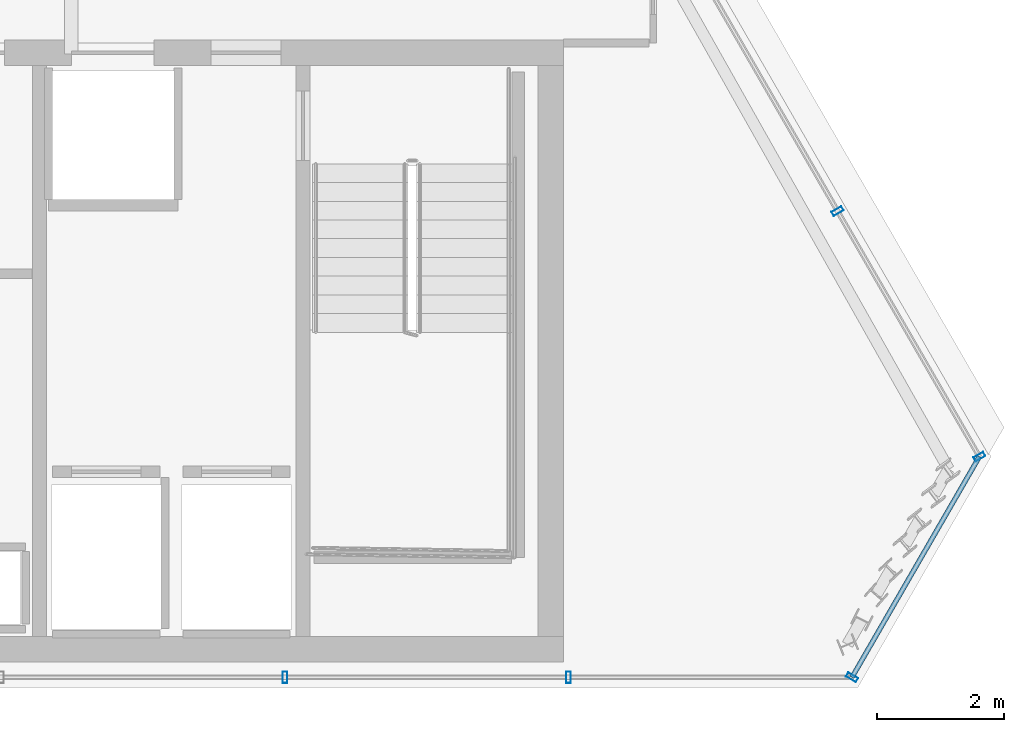
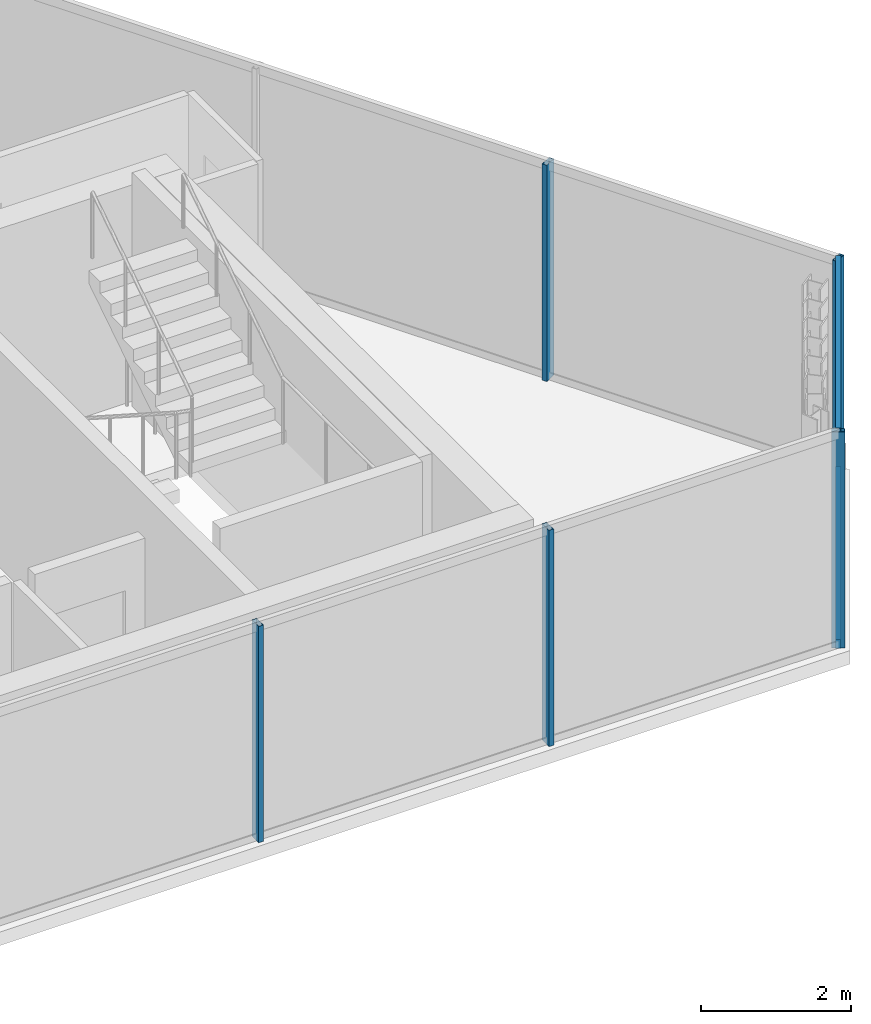
# One storey, part 20 of 32: 7 members, 3 elements without a shape of their own.
"""IFC4 building model written with IfcOpenShell, lengths in metres."""

from ifc_helpers import new_model, si_unit, direction, frame, origin, origin_2d, place, context, subcontext, project, spatial, hollow_rectangle, extrude, material, layer, layer_set, material_profile, profile_set, type_object, element, aggregate, save


model = new_model("IFC4")

# Units and contexts
model_context = context("Model", 3, precision=1e-05, world=origin(), true_north=direction((0.0, 1.0)))
body_context = subcontext(model_context, "Body", "Model", "MODEL_VIEW")
ifc_project = project(units=[si_unit("LENGTHUNIT", "METRE"), si_unit("AREAUNIT", "SQUARE_METRE"), si_unit("VOLUMEUNIT", "CUBIC_METRE"), si_unit("PLANEANGLEUNIT", "RADIAN"), si_unit("MASSUNIT", "GRAM", prefix="KILO")], contexts=[model_context])

# Site, building, storey
site_placement = place(None, origin())
site = spatial("IfcSite", under=ifc_project, at=site_placement, CompositionType="ELEMENT")
building_placement = place(site_placement, origin())
building = spatial("IfcBuilding", under=site, at=building_placement, Name="Ndaravel Arena Tower", CompositionType="ELEMENT")
storey_placement = place(building_placement, frame((0.0, 0.0, 294.699951171875)))
storey = spatial("IfcBuildingStorey", under=building, at=storey_placement, Name="L72", CompositionType="ELEMENT", Elevation=294.699951171875)

# Curtain wall, members
ifc_material_1 = material(Name="Aluminium", Category="aluminium")
ifc_layer_1 = layer(ifc_material_1, 0.179931640625)
ifc_layer_set_1 = layer_set([ifc_layer_1], Name="Aluminium")
curtain_wall_type_1 = type_object("IfcCurtainWallType", Name="CW-SYS-03", PredefinedType="NOTDEFINED", material=ifc_layer_set_1)
curtain_wall_1_placement = place(storey_placement, origin())
curtain_wall_1 = element("IfcCurtainWall", 1, at=curtain_wall_1_placement, inside=storey, type_object=curtain_wall_type_1, Name="L72 Faceted Crystal Curtain Wall CW-L72-E01", PredefinedType="NOTDEFINED")
ifc_material_2 = material(Name="Aluminium", Category="aluminium")
ifc_material_profile_1 = material_profile(ifc_material_2, hollow_rectangle(XDim=0.074951171875, YDim=0.179931640625, WallThickness=0.00390625, at=origin_2d()), Name="CW MULLION 75x180x4")
ifc_profile_set_1 = profile_set([ifc_material_profile_1], Name="Aluminium")
member_type_1 = type_object("IfcMemberType", Name="MEM-CW-MUL180", PredefinedType="MULLION", material=ifc_profile_set_1)
member_1_placement = place(storey_placement, frame((53.165283203125, 5.159912109375, 0.0), z_axis=(0.0, 0.0, 1.0), x_axis=(1.0, 0.0, 0.0)))
member_1 = element("IfcMember", 2, at=member_1_placement, type_object=member_type_1, Name="CW-L72-E01 Mullion 07", PredefinedType="MULLION", context=body_context, shape_type="SweptSolid", body=[
    extrude(hollow_rectangle(XDim=0.074951171875, YDim=0.179931640625, WallThickness=0.00390625, at=origin_2d()), origin(), (0.0, 0.0, 1.0), 3.52001953125),
])
member_2_placement = place(storey_placement, frame((57.631103515625, 5.159912109375, 0.0), z_axis=(0.0, 0.0, 1.0), x_axis=(1.0, 0.0, 0.0)))
member_2 = element("IfcMember", 3, at=member_2_placement, type_object=member_type_1, Name="CW-L72-E01 Mullion 08", PredefinedType="MULLION", context=body_context, shape_type="SweptSolid", body=[
    extrude(hollow_rectangle(XDim=0.074951171875, YDim=0.179931640625, WallThickness=0.00390625, at=origin_2d()), origin(), (0.0, 0.0, 1.0), 3.52001953125),
])
aggregate(curtain_wall_1, [member_1, member_2])

# Curtain wall, member
ifc_material_3 = material(Name="Aluminium", Category="aluminium")
ifc_layer_2 = layer(ifc_material_3, 0.179931640625)
ifc_layer_set_2 = layer_set([ifc_layer_2], Name="Aluminium")
curtain_wall_type_2 = type_object("IfcCurtainWallType", Name="CW-SYS-01", PredefinedType="NOTDEFINED", material=ifc_layer_set_2)
curtain_wall_2_placement = place(storey_placement, origin())
curtain_wall_2 = element("IfcCurtainWall", 4, at=curtain_wall_2_placement, inside=storey, type_object=curtain_wall_type_2, Name="L72 Faceted Crystal Curtain Wall CW-L72-E02", PredefinedType="NOTDEFINED")
member_3_placement = place(storey_placement, frame((62.097412109375, 5.159912109375, 0.0), z_axis=(0.0, 0.0, 1.0), x_axis=(0.5, 0.866025403784, 0.0)))
member_3 = element("IfcMember", 5, at=member_3_placement, type_object=member_type_1, Name="CW-L72-E02 Mullion 00", PredefinedType="MULLION", context=body_context, shape_type="SweptSolid", body=[
    extrude(hollow_rectangle(XDim=0.074951171875, YDim=0.179931640625, WallThickness=0.00390625, at=origin_2d()), origin(), (0.0, 0.0, 1.0), 3.52001953125),
])

# Curtain wall, members
curtain_wall_3_placement = place(storey_placement, origin())
curtain_wall_3 = element("IfcCurtainWall", 6, at=curtain_wall_3_placement, inside=storey, type_object=curtain_wall_type_1, Name="L72 Faceted Crystal Curtain Wall CW-L72-E03", PredefinedType="NOTDEFINED")
member_4_placement = place(storey_placement, frame((64.10400390625, 8.635986328125, 0.0), z_axis=(0.0, 0.0, 1.0), x_axis=(-0.5, 0.866025403784, 0.0)))
member_4 = element("IfcMember", 7, at=member_4_placement, type_object=member_type_1, Name="CW-L72-E03 Mullion 00", PredefinedType="MULLION", context=body_context, shape_type="SweptSolid", body=[
    extrude(hollow_rectangle(XDim=0.074951171875, YDim=0.179931640625, WallThickness=0.00390625, at=origin_2d()), origin(), (0.0, 0.0, 1.0), 3.52001953125),
])
member_5_placement = place(storey_placement, frame((61.87109375, 12.503662109375, 0.0), z_axis=(0.0, 0.0, 1.0), x_axis=(-0.5, 0.866025403784, 0.0)))
member_5 = element("IfcMember", 8, at=member_5_placement, type_object=member_type_1, Name="CW-L72-E03 Mullion 01", PredefinedType="MULLION", context=body_context, shape_type="SweptSolid", body=[
    extrude(hollow_rectangle(XDim=0.074951171875, YDim=0.179931640625, WallThickness=0.00390625, at=origin_2d()), origin(), (0.0, 0.0, 1.0), 3.52001953125),
])
aggregate(curtain_wall_3, [member_4, member_5])

# Member
ifc_material_4 = material(Name="Aluminium", Category="aluminium")
ifc_material_profile_2 = material_profile(ifc_material_4, hollow_rectangle(XDim=0.074951171875, YDim=0.14990234375, WallThickness=0.00390625, at=origin_2d()), Name="CW TRANSOM 75x150x4")
ifc_profile_set_2 = profile_set([ifc_material_profile_2], Name="Aluminium")
member_type_2 = type_object("IfcMemberType", Name="MEM-CW-TRN150", PredefinedType="USERDEFINED", material=ifc_profile_set_2)
member_6_placement = place(storey_placement, frame((62.097412109375, 5.159912109375, 0.0400390625), z_axis=(0.499940093004, 0.866059988342, 0.0), x_axis=(-0.866059988342, 0.499940093004, 0.0)))
member_6 = element("IfcMember", 9, at=member_6_placement, type_object=member_type_2, Name="CW-L72-E02 Transom 01", ObjectType="TRANSOM", PredefinedType="USERDEFINED", context=body_context, shape_type="SweptSolid", body=[
    extrude(hollow_rectangle(XDim=0.074951171875, YDim=0.14990234375, WallThickness=0.00390625, at=origin_2d()), origin(), (0.0, 0.0, 1.0), 4.013671875),
])

member_7_placement = place(storey_placement, frame((62.097412109375, 5.159912109375, 3.47998046875), z_axis=(0.499940093004, 0.866059988342, 0.0), x_axis=(-0.866059988342, 0.499940093004, 0.0)))
member_7 = element("IfcMember", 10, at=member_7_placement, type_object=member_type_2, Name="CW-L72-E02 Transom 02", ObjectType="TRANSOM", PredefinedType="USERDEFINED", context=body_context, shape_type="SweptSolid", body=[
    extrude(hollow_rectangle(XDim=0.074951171875, YDim=0.14990234375, WallThickness=0.00390625, at=origin_2d()), origin(), (0.0, 0.0, 1.0), 4.013671875),
])

aggregate(curtain_wall_2, [member_3, member_6, member_7])

save(model, "model.ifc")
